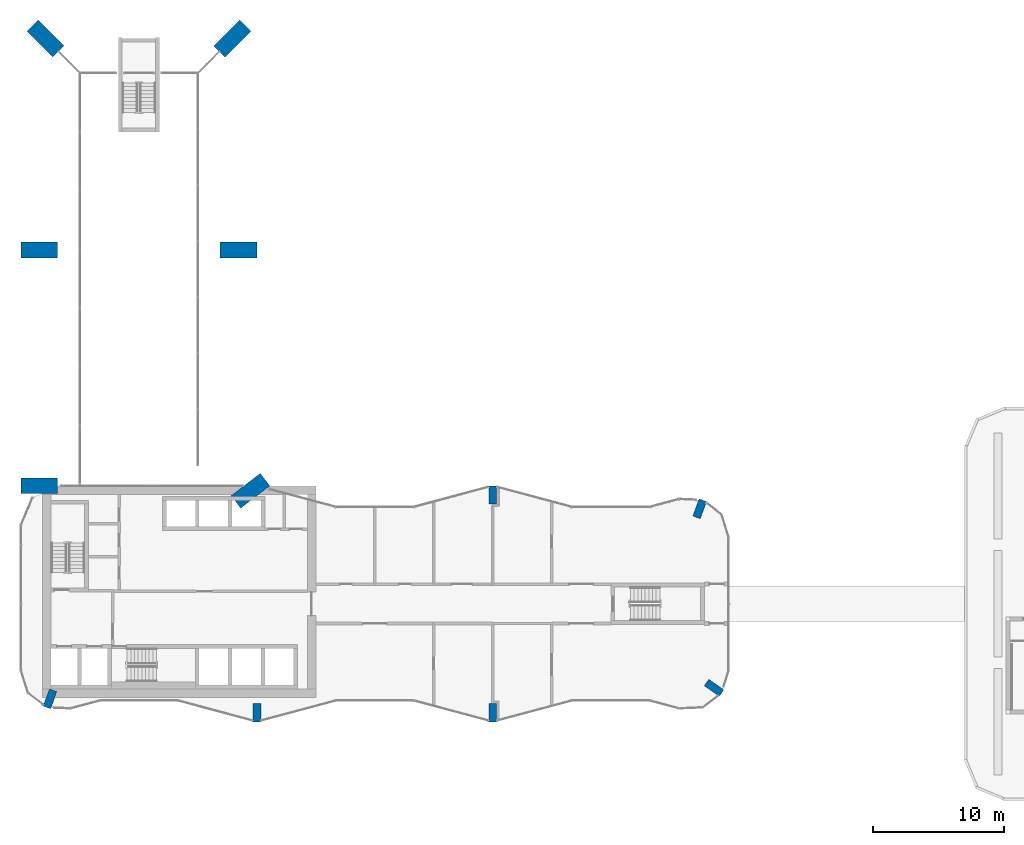
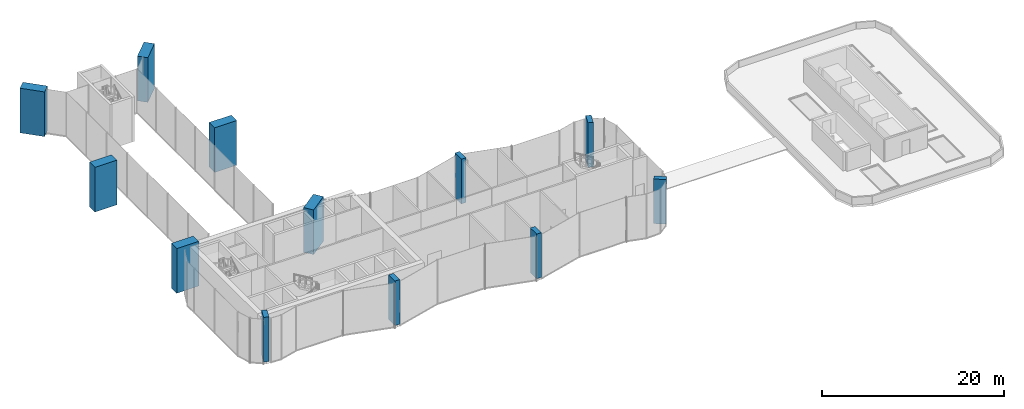
# One storey, part 1 of 19: 12 columns.
"""IFC4 building model written with IfcOpenShell, lengths in metres."""

from ifc_helpers import new_model, si_unit, direction, frame, origin, origin_2d, place, context, subcontext, project, spatial, rectangle, extrude, material, material_profile, profile_set, type_object, element, save


model = new_model("IFC4")

# Units and contexts
model_context = context("Model", 3, precision=1e-05, world=origin(), true_north=direction((0.0, 1.0)))
body_context = subcontext(model_context, "Body", "Model", "MODEL_VIEW")
ifc_project = project(units=[si_unit("LENGTHUNIT", "METRE"), si_unit("AREAUNIT", "SQUARE_METRE"), si_unit("VOLUMEUNIT", "CUBIC_METRE"), si_unit("PLANEANGLEUNIT", "RADIAN"), si_unit("MASSUNIT", "GRAM", prefix="KILO")], contexts=[model_context])

# Site, building, storey
site_placement = place(None, origin())
site = spatial("IfcSite", under=ifc_project, at=site_placement, CompositionType="ELEMENT")
building_placement = place(site_placement, origin())
building = spatial("IfcBuilding", under=site, at=building_placement, Name="Plateau Cross Towers", CompositionType="ELEMENT")
storey_placement = place(building_placement, frame((0.0, 0.0, 128.60009765625)))
storey = spatial("IfcBuildingStorey", under=building, at=storey_placement, Name="L33", CompositionType="ELEMENT", Elevation=128.60009765625)

# Columns
ifc_material = material(Name="Concrete C60/75", Category="concrete")
ifc_material_profile_1 = material_profile(ifc_material, rectangle(XDim=0.60009765625, YDim=1.39990234375, at=origin_2d()), Name="RC 600x1400")
ifc_profile_set_1 = profile_set([ifc_material_profile_1], Name="Concrete C60/75")
column_type_1 = type_object("IfcColumnType", Name="Fin pier column RC 600x1400", PredefinedType="COLUMN", material=ifc_profile_set_1)
for number, where, z_axis, x_axis, name in (
    (1, (18.0, 0.699951171875, 0.0), (0.0, 0.0, 1.0), (1.0, 0.0, 0.0), "PR1 L33"),
    (2, (36.0, 0.699951171875, 0.0), (0.0, 0.0, 1.0), (1.0, 0.0, 0.0), "PR2 L33"),
    (3, (52.884033203125, 2.590087890625, 0.0), (0.0, 0.0, 1.0), (0.573542637991, 0.819175709117, 0.0), "PR3 L33"),
    (4, (51.786865234375, 16.251953125, 0.0), (0.0, 0.0, 1.0), (-0.939664280925, 0.342097996418, 0.0), "PR4 L33"),
    (5, (36.0, 17.300048828125, 0.0), (0.0, 0.0, 1.0), (1.0, 0.0, 0.0), "PR5 L33"),
    (6, (2.213134765625, 1.748046875, 0.0), (0.0, 0.0, 1.0), (-0.939664280925, 0.342097996418, 0.0), "PR12 L33"),
):
    element("IfcColumn", number, at=place(storey_placement, frame(where, z_axis=z_axis, x_axis=x_axis)), inside=storey, type_object=column_type_1, Name=name, PredefinedType="COLUMN", context=body_context, shape_type="SweptSolid", body=[
        extrude(rectangle(XDim=0.60009765625, YDim=1.39990234375, at=origin_2d()), origin(), (0.0, 0.0, 1.0), 6.0),
    ])
ifc_material_profile_2 = material_profile(ifc_material, rectangle(XDim=1.199951171875, YDim=2.800048828125, at=origin_2d()), Name="RC 1200x2800")
ifc_profile_set_2 = profile_set([ifc_material_profile_2], Name="Concrete C60/75")
column_type_2 = type_object("IfcColumnType", Name="Mega column RC 1200x2800", PredefinedType="COLUMN", material=ifc_profile_set_2)
for number, where, z_axis, x_axis, name in (
    (7, (17.509521484375, 17.62353515625, 0.0), (0.0, 0.0, 1.0), (-0.608810846443, 0.793315418515, 0.0), "A-MC6 L33"),
    (8, (16.60009765625, 36.0, 0.0), (0.0, 0.0, 1.0), (0.0, 1.0, 0.0), "A-MC7 L33"),
    (9, (16.13134765625, 52.13134765625, 0.0), (0.0, 0.0, 1.0), (-0.707106781187, 0.707106781187, 0.0), "A-MC8 L33"),
    (10, (1.86865234375, 52.13134765625, 0.0), (0.0, 0.0, 1.0), (0.707106781187, 0.707106781187, 0.0), "A-MC9 L33"),
    (11, (1.39990234375, 36.0, 0.0), (0.0, 0.0, 1.0), (0.0, 1.0, 0.0), "A-MC10 L33"),
    (12, (1.39990234375, 18.0, 0.0), (0.0, 0.0, 1.0), (0.0, 1.0, 0.0), "A-MC11 L33"),
):
    element("IfcColumn", number, at=place(storey_placement, frame(where, z_axis=z_axis, x_axis=x_axis)), inside=storey, type_object=column_type_2, Name=name, PredefinedType="COLUMN", context=body_context, shape_type="SweptSolid", body=[
        extrude(rectangle(XDim=1.199951171875, YDim=2.800048828125, at=origin_2d()), origin(), (0.0, 0.0, 1.0), 6.0),
    ])

save(model, "model.ifc")
